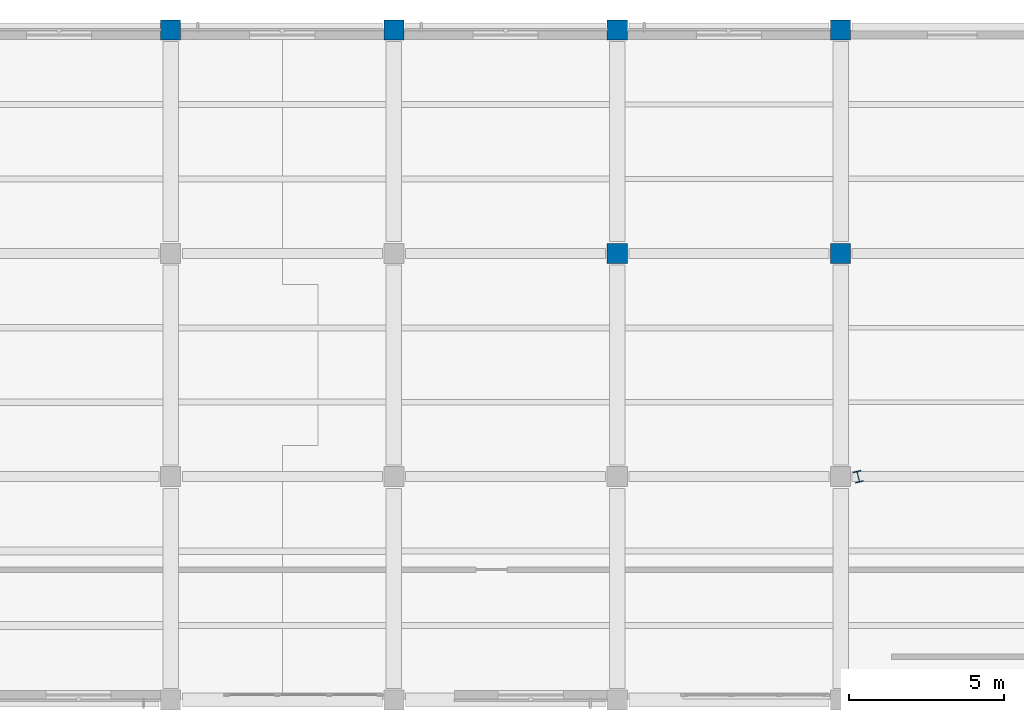
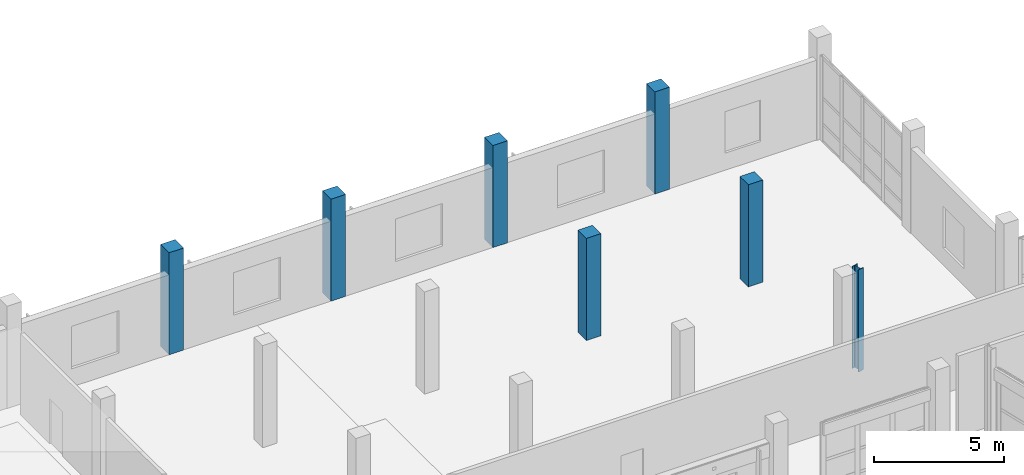
# One storey, part 8 of 127: 7 columns.
"""IFC4 building model written with IfcOpenShell, lengths in metres."""

from ifc_helpers import new_model, si_unit, direction, frame, origin, origin_2d, place, context, subcontext, project, spatial, rectangle, i_section, extrude, material, material_profile, profile_set, type_object, element, save


model = new_model("IFC4")

# Units and contexts
model_context = context("Model", 3, precision=1e-05, world=origin(), true_north=direction((0.0, 1.0)))
body_context = subcontext(model_context, "Body", "Model", "MODEL_VIEW")
ifc_project = project(units=[si_unit("LENGTHUNIT", "METRE"), si_unit("AREAUNIT", "SQUARE_METRE"), si_unit("VOLUMEUNIT", "CUBIC_METRE"), si_unit("PLANEANGLEUNIT", "RADIAN"), si_unit("MASSUNIT", "GRAM", prefix="KILO")], contexts=[model_context])

# Site, building, storey
site_placement = place(None, origin())
site = spatial("IfcSite", under=ifc_project, at=site_placement, CompositionType="ELEMENT")
building_placement = place(site_placement, origin())
building = spatial("IfcBuilding", under=site, at=building_placement, Name="Kalmorath City Hall", CompositionType="ELEMENT")
storey_placement = place(building_placement, frame((0.0, 0.0, 5.39990234375)))
storey = spatial("IfcBuildingStorey", under=building, at=storey_placement, Name="L01", CompositionType="ELEMENT", Elevation=5.39990234375)

# Columns
ifc_material_1 = material(Name="Concrete C50/60", Category="concrete")
ifc_material_profile_1 = material_profile(ifc_material_1, rectangle(XDim=0.64990234375, YDim=0.64990234375, at=origin_2d()), Name="RC-COL-650X650")
ifc_profile_set_1 = profile_set([ifc_material_profile_1], Name="Concrete C50/60")
column_type_1 = type_object("IfcColumnType", Name="Concrete column 650x650", PredefinedType="COLUMN", material=ifc_profile_set_1)
for number, where, z_axis, x_axis, name in (
    (1, (100.800048828125, 115.199951171875, 0.0), (0.0, 0.0, 1.0), (1.0, 0.0, 0.0), "L01 column C5 (15/17)"),
    (2, (108.0, 115.199951171875, 0.0), (0.0, 0.0, 1.0), (1.0, 0.0, 0.0), "L01 column C5 (16/17)"),
    (3, (115.199951171875, 108.0, 0.0), (0.0, 0.0, 1.0), (1.0, 0.0, 0.0), "L01 column C5 (17/16)"),
    (4, (115.199951171875, 115.199951171875, 0.0), (0.0, 0.0, 1.0), (1.0, 0.0, 0.0), "L01 column C5 (17/17)"),
    (5, (122.39990234375, 108.0, 0.0), (0.0, 0.0, 1.0), (1.0, 0.0, 0.0), "L01 column C5 (18/16)"),
    (6, (122.39990234375, 115.199951171875, 0.0), (0.0, 0.0, 1.0), (1.0, 0.0, 0.0), "L01 column C5 (18/17)"),
):
    element("IfcColumn", number, at=place(storey_placement, frame(where, z_axis=z_axis, x_axis=x_axis)), inside=storey, type_object=column_type_1, Name=name, PredefinedType="COLUMN", context=body_context, shape_type="SweptSolid", body=[
        extrude(rectangle(XDim=0.64990234375, YDim=0.64990234375, at=origin_2d()), origin(), (0.0, 0.0, 1.0), 4.800048828125),
    ])
ifc_material_2 = material(Name="Steel ASTM A992 Grade 50", Category="steel")
ifc_material_profile_2 = material_profile(ifc_material_2, i_section(OverallWidth=0.256103515625, OverallDepth=0.360107421875, WebThickness=0.011474609375, FlangeThickness=0.02001953125, FilletRadius=0.014892578125, at=origin_2d()), Name="W14X74")
ifc_profile_set_2 = profile_set([ifc_material_profile_2], Name="Steel ASTM A992 Grade 50")
column_type_2 = type_object("IfcColumnType", Name="Steel wide-flange column W14X74", PredefinedType="COLUMN", material=ifc_profile_set_2)
column_placement = place(storey_placement, frame((122.971435546875, 100.800048828125, 0.0), z_axis=(0.0, 0.0, 1.0), x_axis=(0.972369920398, 0.233445363856, 0.0)))
element("IfcColumn", 7, at=column_placement, inside=storey, type_object=column_type_2, Name="L01 library splay column SC4-9", PredefinedType="COLUMN", context=body_context, shape_type="SweptSolid", body=[
    extrude(i_section(OverallWidth=0.256103515625, OverallDepth=0.360107421875, WebThickness=0.011474609375, FlangeThickness=0.02001953125, FilletRadius=0.014892578125, at=origin_2d()), origin(), (0.0, 0.0, 1.0), 4.800048828125),
])

save(model, "model.ifc")
